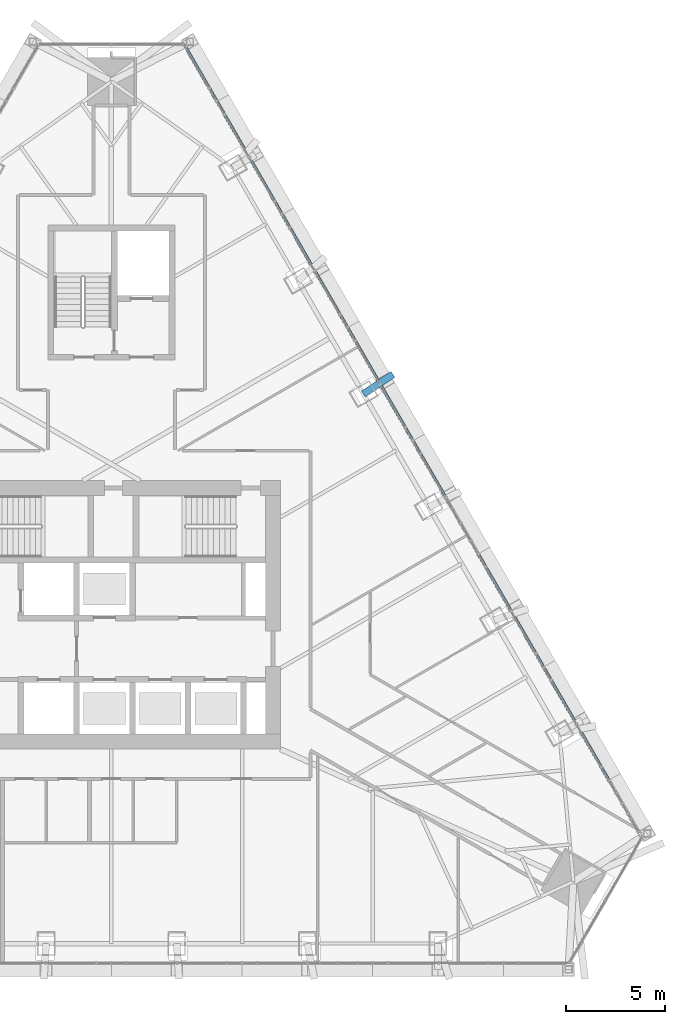
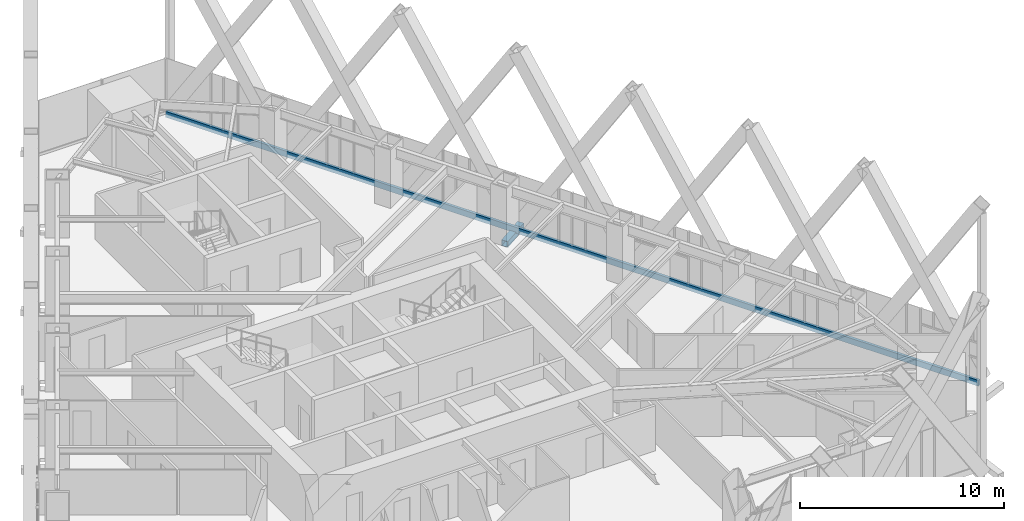
# One storey, part 10 of 25: 2 members, 1 element without a shape of its own.
"""IFC4 building model written with IfcOpenShell, lengths in metres."""

from ifc_helpers import new_model, si_unit, direction, frame, origin, origin_2d, place, context, subcontext, project, spatial, rectangle, hollow_rectangle, extrude, material, layer, layer_set, material_profile, profile_set, type_object, element, aggregate, save


model = new_model("IFC4")

# Units and contexts
model_context = context("Model", 3, precision=1e-05, world=origin(), true_north=direction((0.0, 1.0)))
body_context = subcontext(model_context, "Body", "Model", "MODEL_VIEW")
ifc_project = project(units=[si_unit("LENGTHUNIT", "METRE"), si_unit("AREAUNIT", "SQUARE_METRE"), si_unit("VOLUMEUNIT", "CUBIC_METRE"), si_unit("PLANEANGLEUNIT", "RADIAN"), si_unit("MASSUNIT", "GRAM", prefix="KILO")], contexts=[model_context])

# Site, building, storey
site_placement = place(None, origin())
site = spatial("IfcSite", under=ifc_project, at=site_placement, CompositionType="ELEMENT")
building_placement = place(site_placement, origin())
building = spatial("IfcBuilding", under=site, at=building_placement, Name="Firuza Gate Tower and Library", CompositionType="ELEMENT")
storey_placement = place(building_placement, frame((0.0, 0.0, 270.60009765625)))
storey = spatial("IfcBuildingStorey", under=building, at=storey_placement, Name="L64", CompositionType="ELEMENT", Elevation=270.60009765625)

# Curtain wall, member
ifc_material_1 = material(Name="Aluminium 6063-T6", Category="aluminium")
ifc_layer = layer(ifc_material_1, 0.14990234375)
ifc_layer_set = layer_set([ifc_layer], Name="Unitised curtain wall, residences")
curtain_wall_type = type_object("IfcCurtainWallType", Name="Unitised curtain wall, residences", PredefinedType="NOTDEFINED", material=ifc_layer_set)
curtain_wall_placement = place(storey_placement, origin())
curtain_wall = element("IfcCurtainWall", 1, at=curtain_wall_placement, inside=storey, type_object=curtain_wall_type, Name="CW3 L64 E face", PredefinedType="NOTDEFINED")
ifc_material_2 = material(Name="Aluminium 6063-T6", Category="aluminium")
ifc_material_profile_1 = material_profile(ifc_material_2, rectangle(XDim=0.14990234375, YDim=0.35009765625, at=origin_2d()))
ifc_profile_set_1 = profile_set([ifc_material_profile_1], Name="Aluminium 6063-T6")
member_type_1 = type_object("IfcMemberType", Name="Curtain wall transom 350x150", PredefinedType="USERDEFINED", material=ifc_profile_set_1)
member_1_placement = place(storey_placement, frame((101.665283203125, 63.811767578125, -0.025146484375), z_axis=(-0.499999832513, 0.866025500483, 0.0), x_axis=(-0.866025500483, -0.499999832513, 0.0)))
member_1 = element("IfcMember", 2, at=member_1_placement, type_object=member_type_1, Name="Transom", ObjectType="TRANSOM", PredefinedType="USERDEFINED", context=body_context, shape_type="SweptSolid", body=[
    extrude(rectangle(XDim=0.14990234375, YDim=0.35009765625, at=origin_2d()), origin(), (0.0, 0.0, 1.0), 46.0439453125),
])
aggregate(curtain_wall, [member_1])

# Member
ifc_material_3 = material(Name="Steel S355", Category="steel")
ifc_material_profile_2 = material_profile(ifc_material_3, hollow_rectangle(XDim=0.355712890625, YDim=0.355712890625, WallThickness=0.014892578125, at=origin_2d()))
ifc_profile_set_2 = profile_set([ifc_material_profile_2], Name="Steel S355")
member_type_2 = type_object("IfcMemberType", Name="HSS356x356x16 Lattice node tie", PredefinedType="BRACE", material=ifc_profile_set_2)
member_2_placement = place(storey_placement, frame((87.66845703125, 86.104736328125, -0.320068359375), z_axis=(0.831162116647, 0.556030157321, 0.0), x_axis=(-0.556030157321, 0.831162116647, 0.0)))
element("IfcMember", 3, at=member_2_placement, inside=storey, type_object=member_type_2, Name="Lattice node tie E L64 396", PredefinedType="BRACE", context=body_context, shape_type="SweptSolid", body=[
    extrude(hollow_rectangle(XDim=0.355712890625, YDim=0.355712890625, WallThickness=0.014892578125, at=origin_2d()), origin(), (0.0, 0.0, 1.0), 1.7783203125),
])

save(model, "model.ifc")
